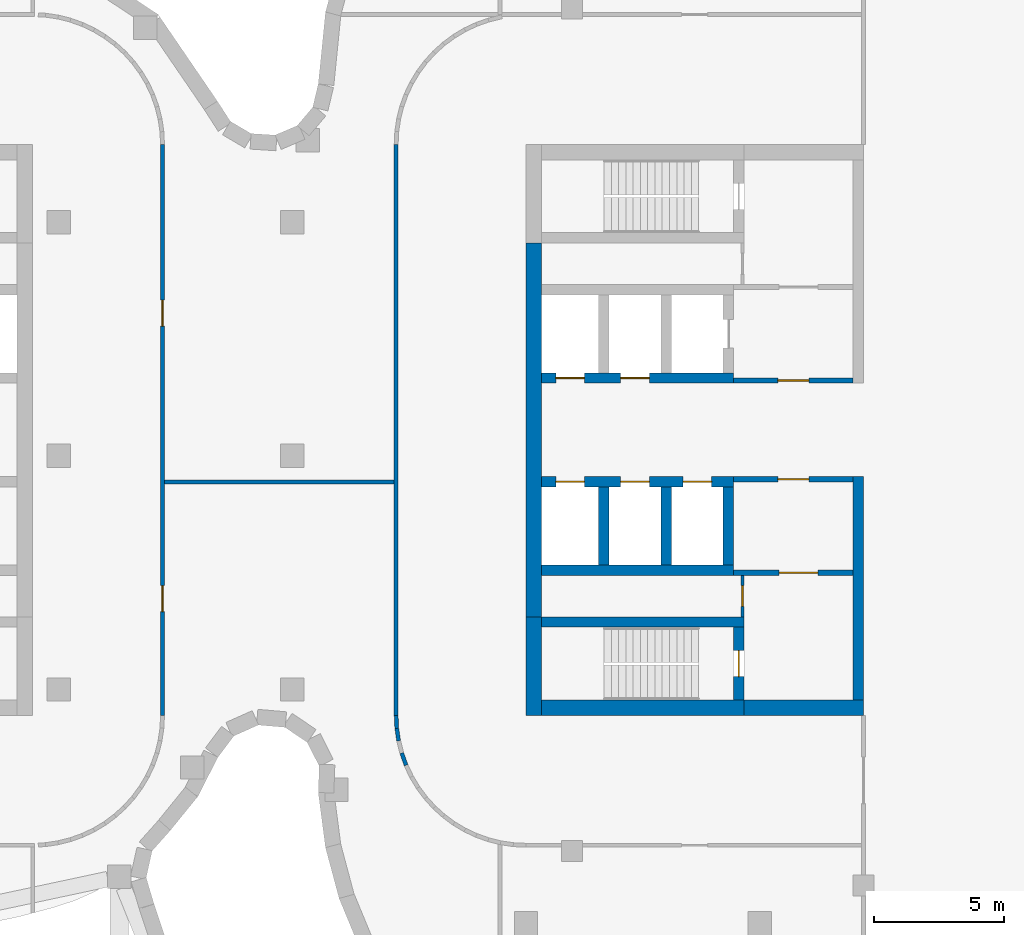
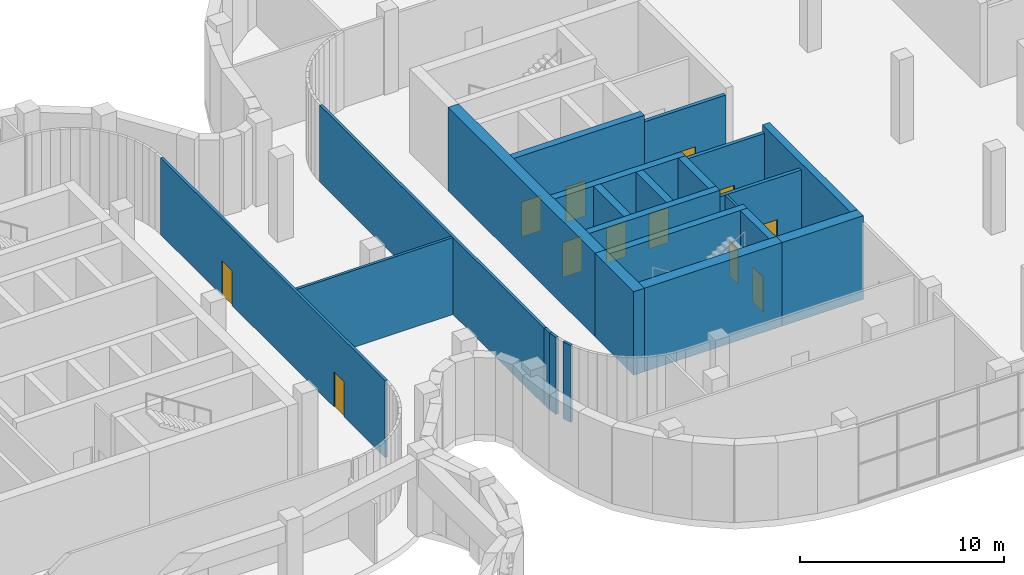
# One storey, part 16 of 25: 23 walls, 12 doors, 12 openings.
"""IFC4 building model written with IfcOpenShell, lengths in metres."""

from ifc_helpers import new_model, si_unit, direction, frame, frame_2d, origin, place, context, subcontext, project, spatial, rectangle, extrude, material, layer, layer_set, type_object, element, fill, save


model = new_model("IFC4")

# Units and contexts
model_context = context("Model", 3, precision=1e-05, world=origin(), true_north=direction((0.0, 1.0)))
body_context = subcontext(model_context, "Body", "Model", "MODEL_VIEW")
ifc_project = project(units=[si_unit("LENGTHUNIT", "METRE"), si_unit("AREAUNIT", "SQUARE_METRE"), si_unit("VOLUMEUNIT", "CUBIC_METRE"), si_unit("PLANEANGLEUNIT", "RADIAN"), si_unit("MASSUNIT", "GRAM", prefix="KILO")], contexts=[model_context])

# Site, building, storey
site_placement = place(None, origin())
site = spatial("IfcSite", under=ifc_project, at=site_placement, CompositionType="ELEMENT")
building_placement = place(site_placement, origin())
building = spatial("IfcBuilding", under=site, at=building_placement, Name="Skarvind Civic Tower", CompositionType="ELEMENT")
storey_placement = place(building_placement, frame((0.0, 0.0, 7.5)))
storey = spatial("IfcBuildingStorey", under=building, at=storey_placement, Name="L01", CompositionType="ELEMENT", Elevation=7.5)

# Wall, opening, door
ifc_material_1 = material(Name="Fire-rated masonry partition", Category="masonry")
ifc_layer_1 = layer(ifc_material_1, 0.199951171875)
ifc_layer_set_1 = layer_set([ifc_layer_1], Name="Core enclosure wall 200")
wall_type_1 = type_object("IfcWallType", Name="Core enclosure wall 200", PredefinedType="PARTITIONING", material=ifc_layer_set_1)
wall_1_placement = place(storey_placement, frame((135.0, 129.89990234375, 0.0), z_axis=(0.0, 0.0, 1.0), x_axis=(1.0, 0.0, 0.0)))
wall_1 = element("IfcWall", 1, at=wall_1_placement, inside=storey, type_object=wall_type_1, Name="Core wall CA", PredefinedType="PARTITIONING", context=body_context, shape_type="SweptSolid", body=[
    extrude(rectangle(XDim=4.60009765625, YDim=0.199951171875, at=frame_2d((2.300048828125, 0.0))), origin(), (0.0, 0.0, 1.0), 4.60009765625),
])
opening_1_placement = place(wall_1_placement, frame((1.699951171875, 0.0, 0.0)))
opening_1 = element("IfcOpeningElement", 2, at=opening_1_placement, cuts=wall_1, Name="Opening D-L01-CA-06", PredefinedType="OPENING", context=body_context, shape_type="SweptSolid", body=[
    extrude(rectangle(XDim=1.199951171875, YDim=2.10009765625, at=frame_2d((0.60009765625, 1.050048828125))), frame((0.0, 0.10986328125, 0.0), z_axis=(0.0, -1.0, 0.0), x_axis=(1.0, 0.0, 0.0)), (0.0, 0.0, 1.0), 0.219970703125),
])
ifc_material_2 = material(Name="Fire-rated steel door", Category="steel")
door_type_1 = type_object("IfcDoorType", Name="Core lobby door 1200", OperationType="NOTDEFINED", PredefinedType="DOOR", material=ifc_material_2)
door_1_placement = place(opening_1_placement, origin())
door_1 = element("IfcDoor", 3, at=door_1_placement, inside=storey, type_object=door_type_1, Name="Fire door", OperationType="DOUBLE_DOOR_SINGLE_SWING", OverallHeight=2.10009765625, OverallWidth=1.199951171875, PredefinedType="DOOR", context=body_context, shape_type="SweptSolid", body=[
    extrude(rectangle(XDim=1.199951171875, YDim=2.10009765625, at=frame_2d((0.60009765625, 1.050048828125))), frame((0.0, 0.02490234375, 0.0), z_axis=(0.0, -1.0, 0.0), x_axis=(1.0, 0.0, 0.0)), (0.0, 0.0, 1.0), 0.050048828125),
])
fill(opening_1, door_1)

wall_2_placement = place(storey_placement, frame((139.60009765625, 126.10009765625, 0.0), z_axis=(0.0, 0.0, 1.0), x_axis=(-1.0, 0.0, 0.0)))
wall_2 = element("IfcWall", 4, at=wall_2_placement, inside=storey, type_object=wall_type_1, Name="Core wall CA", PredefinedType="PARTITIONING", context=body_context, shape_type="SweptSolid", body=[
    extrude(rectangle(XDim=4.60009765625, YDim=0.199951171875, at=frame_2d((2.300048828125, 0.0))), origin(), (0.0, 0.0, 1.0), 4.60009765625),
])
opening_2_placement = place(wall_2_placement, frame((1.699951171875, 0.0, 0.0)))
opening_2 = element("IfcOpeningElement", 5, at=opening_2_placement, cuts=wall_2, Name="Opening D-L01-CA-10", PredefinedType="OPENING", context=body_context, shape_type="SweptSolid", body=[
    extrude(rectangle(XDim=1.199951171875, YDim=2.10009765625, at=frame_2d((0.60009765625, 1.050048828125))), frame((0.0, 0.10986328125, 0.0), z_axis=(0.0, -1.0, 0.0), x_axis=(1.0, 0.0, 0.0)), (0.0, 0.0, 1.0), 0.219970703125),
])
door_2_placement = place(opening_2_placement, origin())
door_2 = element("IfcDoor", 6, at=door_2_placement, inside=storey, type_object=door_type_1, Name="Fire door", OperationType="DOUBLE_DOOR_SINGLE_SWING", OverallHeight=2.10009765625, OverallWidth=1.199951171875, PredefinedType="DOOR", context=body_context, shape_type="SweptSolid", body=[
    extrude(rectangle(XDim=1.199951171875, YDim=2.10009765625, at=frame_2d((0.60009765625, 1.050048828125))), frame((0.0, 0.02490234375, 0.0), z_axis=(0.0, -1.0, 0.0), x_axis=(1.0, 0.0, 0.0)), (0.0, 0.0, 1.0), 0.050048828125),
])
fill(opening_2, door_2)

wall_3_placement = place(storey_placement, frame((139.60009765625, 122.5, 0.0), z_axis=(0.0, 0.0, 1.0), x_axis=(-1.0, 0.0, 0.0)))
wall_3 = element("IfcWall", 7, at=wall_3_placement, inside=storey, type_object=wall_type_1, Name="Core wall CA", PredefinedType="PARTITIONING", context=body_context, shape_type="SweptSolid", body=[
    extrude(rectangle(XDim=4.60009765625, YDim=0.199951171875, at=frame_2d((2.300048828125, 0.0))), origin(), (0.0, 0.0, 1.0), 4.60009765625),
])
opening_3_placement = place(wall_3_placement, frame((1.35009765625, 0.0, 0.0)))
opening_3 = element("IfcOpeningElement", 8, at=opening_3_placement, cuts=wall_3, Name="Opening D-L01-CA-11", PredefinedType="OPENING", context=body_context, shape_type="SweptSolid", body=[
    extrude(rectangle(XDim=1.5, YDim=2.10009765625, at=frame_2d((0.75, 1.050048828125))), frame((0.0, 0.10986328125, 0.0), z_axis=(0.0, -1.0, 0.0), x_axis=(1.0, 0.0, 0.0)), (0.0, 0.0, 1.0), 0.219970703125),
])
door_type_2 = type_object("IfcDoorType", Name="Fire door 1500", OperationType="NOTDEFINED", PredefinedType="DOOR", material=ifc_material_2)
door_3_placement = place(opening_3_placement, origin())
door_3 = element("IfcDoor", 9, at=door_3_placement, inside=storey, type_object=door_type_2, Name="Fire door", OperationType="DOUBLE_DOOR_SINGLE_SWING", OverallHeight=2.10009765625, OverallWidth=1.5, PredefinedType="DOOR", context=body_context, shape_type="SweptSolid", body=[
    extrude(rectangle(XDim=1.5, YDim=2.10009765625, at=frame_2d((0.75, 1.050048828125))), frame((0.0, 0.02490234375, 0.0), z_axis=(0.0, -1.0, 0.0), x_axis=(1.0, 0.0, 0.0)), (0.0, 0.0, 1.0), 0.050048828125),
])
fill(opening_3, door_3)

# Wall
ifc_material_3 = material(Name="Concrete C80", Category="concrete")
ifc_layer_2 = layer(ifc_material_3, 0.39990234375)
ifc_layer_set_2 = layer_set([ifc_layer_2], Name="Core wall 400 C80")
wall_type_2 = type_object("IfcWallType", Name="Core wall 400 C80", PredefinedType="SHEAR", material=ifc_layer_set_2)
wall_4_placement = place(storey_placement, frame((127.60009765625, 120.60009765625, 0.0), z_axis=(0.0, 0.0, 1.0), x_axis=(1.0, 0.0, 0.0)))
element("IfcWall", 10, at=wall_4_placement, inside=storey, type_object=wall_type_2, Name="Core wall CA south stair inner L01", PredefinedType="SHEAR", context=body_context, shape_type="SweptSolid", body=[
    extrude(rectangle(XDim=7.7998046875, YDim=0.39990234375, at=frame_2d((3.89990234375, 0.0))), origin(), (0.0, 0.0, 1.0), 5.0),
])

# Wall, opening, door
wall_5_placement = place(storey_placement, frame((135.199951171875, 117.60009765625, 0.0), z_axis=(0.0, 0.0, 1.0), x_axis=(0.0, 1.0, 0.0)))
wall_5 = element("IfcWall", 11, at=wall_5_placement, inside=storey, type_object=wall_type_2, Name="Core wall CA south stair end L01", PredefinedType="SHEAR", context=body_context, shape_type="SweptSolid", body=[
    extrude(rectangle(XDim=2.7998046875, YDim=0.39990234375, at=frame_2d((1.39990234375, 0.0))), origin(), (0.0, 0.0, 1.0), 5.0),
])
opening_4_placement = place(wall_5_placement, frame((0.89990234375, 0.0, 0.0)))
opening_4 = element("IfcOpeningElement", 12, at=opening_4_placement, cuts=wall_5, Name="Opening D-L01-CA-12", PredefinedType="OPENING", context=body_context, shape_type="SweptSolid", body=[
    extrude(rectangle(XDim=1.0, YDim=2.10009765625, at=frame_2d((0.5, 1.050048828125))), frame((0.0, 0.2099609375, 0.0), z_axis=(0.0, -1.0, 0.0), x_axis=(1.0, 0.0, 0.0)), (0.0, 0.0, 1.0), 0.419921875),
])
door_type_3 = type_object("IfcDoorType", Name="Fire door 1000", OperationType="NOTDEFINED", PredefinedType="DOOR", material=ifc_material_2)
door_4_placement = place(opening_4_placement, origin())
door_4 = element("IfcDoor", 13, at=door_4_placement, inside=storey, type_object=door_type_3, Name="Fire door", OperationType="SINGLE_SWING_RIGHT", OverallHeight=2.10009765625, OverallWidth=1.0, PredefinedType="DOOR", context=body_context, shape_type="SweptSolid", body=[
    extrude(rectangle(XDim=1.0, YDim=2.10009765625, at=frame_2d((0.5, 1.050048828125))), frame((0.0, 0.02490234375, 0.0), z_axis=(0.0, -1.0, 0.0), x_axis=(1.0, 0.0, 0.0)), (0.0, 0.0, 1.0), 0.050048828125),
])
fill(opening_4, door_4)

# Wall, openings, doors
wall_6_placement = place(storey_placement, frame((127.60009765625, 126.0, 0.0), z_axis=(0.0, 0.0, 1.0), x_axis=(1.0, 0.0, 0.0)))
wall_6 = element("IfcWall", 14, at=wall_6_placement, inside=storey, type_object=wall_type_2, Name="Core wall CA south lift row front L01", PredefinedType="SHEAR", context=body_context, shape_type="SweptSolid", body=[
    extrude(rectangle(XDim=7.39990234375, YDim=0.39990234375, at=frame_2d((3.699951171875, 0.0))), origin(), (0.0, 0.0, 1.0), 5.0),
])
opening_5_placement = place(wall_6_placement, frame((0.550048828125, 0.0, 0.0)))
opening_5 = element("IfcOpeningElement", 15, at=opening_5_placement, cuts=wall_6, Name="Opening LD03304", PredefinedType="OPENING", context=body_context, shape_type="SweptSolid", body=[
    extrude(rectangle(XDim=1.10009765625, YDim=2.10009765625, at=frame_2d((0.550048828125, 1.050048828125))), frame((0.0, 0.2099609375, 0.0), z_axis=(0.0, -1.0, 0.0), x_axis=(1.0, 0.0, 0.0)), (0.0, 0.0, 1.0), 0.419921875),
])
opening_6_placement = place(wall_6_placement, frame((3.050048828125, 0.0, 0.0)))
opening_6 = element("IfcOpeningElement", 16, at=opening_6_placement, cuts=wall_6, Name="Opening LD03305", PredefinedType="OPENING", context=body_context, shape_type="SweptSolid", body=[
    extrude(rectangle(XDim=1.10009765625, YDim=2.10009765625, at=frame_2d((0.550048828125, 1.050048828125))), frame((0.0, 0.2099609375, 0.0), z_axis=(0.0, -1.0, 0.0), x_axis=(1.0, 0.0, 0.0)), (0.0, 0.0, 1.0), 0.419921875),
])
opening_7_placement = place(wall_6_placement, frame((5.449951171875, 0.0, 0.0)))
opening_7 = element("IfcOpeningElement", 17, at=opening_7_placement, cuts=wall_6, Name="Opening LD03306", PredefinedType="OPENING", context=body_context, shape_type="SweptSolid", body=[
    extrude(rectangle(XDim=1.10009765625, YDim=2.10009765625, at=frame_2d((0.550048828125, 1.050048828125))), frame((0.0, 0.2099609375, 0.0), z_axis=(0.0, -1.0, 0.0), x_axis=(1.0, 0.0, 0.0)), (0.0, 0.0, 1.0), 0.419921875),
])
ifc_material_4 = material(Name="Stainless steel landing door", Category="steel")
door_type_4 = type_object("IfcDoorType", Name="Lift landing door 1100", OperationType="DOUBLE_DOOR_SLIDING", PredefinedType="DOOR", material=ifc_material_4)
door_5_placement = place(opening_5_placement, origin())
door_5 = element("IfcDoor", 18, at=door_5_placement, inside=storey, type_object=door_type_4, Name="Lift landing door", OperationType="DOUBLE_DOOR_SLIDING", OverallHeight=2.10009765625, OverallWidth=1.10009765625, PredefinedType="DOOR", context=body_context, shape_type="SweptSolid", body=[
    extrude(rectangle(XDim=1.10009765625, YDim=2.10009765625, at=frame_2d((0.550048828125, 1.050048828125))), frame((0.0, 0.02490234375, 0.0), z_axis=(0.0, -1.0, 0.0), x_axis=(1.0, 0.0, 0.0)), (0.0, 0.0, 1.0), 0.050048828125),
])
fill(opening_5, door_5)
door_6_placement = place(opening_6_placement, origin())
door_6 = element("IfcDoor", 19, at=door_6_placement, inside=storey, type_object=door_type_4, Name="Lift landing door", OperationType="DOUBLE_DOOR_SLIDING", OverallHeight=2.10009765625, OverallWidth=1.10009765625, PredefinedType="DOOR", context=body_context, shape_type="SweptSolid", body=[
    extrude(rectangle(XDim=1.10009765625, YDim=2.10009765625, at=frame_2d((0.550048828125, 1.050048828125))), frame((0.0, 0.02490234375, 0.0), z_axis=(0.0, -1.0, 0.0), x_axis=(1.0, 0.0, 0.0)), (0.0, 0.0, 1.0), 0.050048828125),
])
fill(opening_6, door_6)
door_7_placement = place(opening_7_placement, origin())
door_7 = element("IfcDoor", 20, at=door_7_placement, inside=storey, type_object=door_type_4, Name="Lift landing door", OperationType="DOUBLE_DOOR_SLIDING", OverallHeight=2.10009765625, OverallWidth=1.10009765625, PredefinedType="DOOR", context=body_context, shape_type="SweptSolid", body=[
    extrude(rectangle(XDim=1.10009765625, YDim=2.10009765625, at=frame_2d((0.550048828125, 1.050048828125))), frame((0.0, 0.02490234375, 0.0), z_axis=(0.0, -1.0, 0.0), x_axis=(1.0, 0.0, 0.0)), (0.0, 0.0, 1.0), 0.050048828125),
])
fill(opening_7, door_7)

# Walls
wall_7_placement = place(storey_placement, frame((127.60009765625, 122.60009765625, 0.0), z_axis=(0.0, 0.0, 1.0), x_axis=(1.0, 0.0, 0.0)))
element("IfcWall", 21, at=wall_7_placement, inside=storey, type_object=wall_type_2, Name="Core wall CA south lift row back L01", PredefinedType="SHEAR", context=body_context, shape_type="SweptSolid", body=[
    extrude(rectangle(XDim=7.39990234375, YDim=0.39990234375, at=frame_2d((3.699951171875, 0.0))), origin(), (0.0, 0.0, 1.0), 5.0),
])
for number, where, z_axis, x_axis, name in (
    (22, (130.0, 122.800048828125, 0.0), (0.0, 0.0, 1.0), (0.0, 1.0, 0.0), "Core wall CA south lift row division 1 L01"),
    (23, (132.39990234375, 122.800048828125, 0.0), (0.0, 0.0, 1.0), (0.0, 1.0, 0.0), "Core wall CA south lift row division 2 L01"),
    (24, (134.800048828125, 122.800048828125, 0.0), (0.0, 0.0, 1.0), (0.0, 1.0, 0.0), "Core wall CA south lift row division 3 L01"),
):
    element("IfcWall", number, at=place(storey_placement, frame(where, z_axis=z_axis, x_axis=x_axis)), inside=storey, type_object=wall_type_2, Name=name, PredefinedType="SHEAR", context=body_context, shape_type="SweptSolid", body=[
        extrude(rectangle(XDim=3.0, YDim=0.39990234375, at=frame_2d((1.5, 0.0))), origin(), (0.0, 0.0, 1.0), 5.0),
    ])

# Wall, openings, doors
wall_8_placement = place(storey_placement, frame((127.60009765625, 130.0, 0.0), z_axis=(0.0, 0.0, 1.0), x_axis=(1.0, 0.0, 0.0)))
wall_8 = element("IfcWall", 25, at=wall_8_placement, inside=storey, type_object=wall_type_2, Name="Core wall CA north lift row front L01", PredefinedType="SHEAR", context=body_context, shape_type="SweptSolid", body=[
    extrude(rectangle(XDim=7.39990234375, YDim=0.39990234375, at=frame_2d((3.699951171875, 0.0))), origin(), (0.0, 0.0, 1.0), 5.0),
])
opening_8_placement = place(wall_8_placement, frame((0.550048828125, 0.0, 0.0)))
opening_8 = element("IfcOpeningElement", 26, at=opening_8_placement, cuts=wall_8, Name="Opening LD03301", PredefinedType="OPENING", context=body_context, shape_type="SweptSolid", body=[
    extrude(rectangle(XDim=1.10009765625, YDim=2.10009765625, at=frame_2d((0.550048828125, 1.050048828125))), frame((0.0, 0.2099609375, 0.0), z_axis=(0.0, -1.0, 0.0), x_axis=(1.0, 0.0, 0.0)), (0.0, 0.0, 1.0), 0.419921875),
])
opening_9_placement = place(wall_8_placement, frame((3.050048828125, 0.0, 0.0)))
opening_9 = element("IfcOpeningElement", 27, at=opening_9_placement, cuts=wall_8, Name="Opening LD03302", PredefinedType="OPENING", context=body_context, shape_type="SweptSolid", body=[
    extrude(rectangle(XDim=1.10009765625, YDim=2.10009765625, at=frame_2d((0.550048828125, 1.050048828125))), frame((0.0, 0.2099609375, 0.0), z_axis=(0.0, -1.0, 0.0), x_axis=(1.0, 0.0, 0.0)), (0.0, 0.0, 1.0), 0.419921875),
])
door_8_placement = place(opening_8_placement, origin())
door_8 = element("IfcDoor", 28, at=door_8_placement, inside=storey, type_object=door_type_4, Name="Lift landing door", OperationType="DOUBLE_DOOR_SLIDING", OverallHeight=2.10009765625, OverallWidth=1.10009765625, PredefinedType="DOOR", context=body_context, shape_type="SweptSolid", body=[
    extrude(rectangle(XDim=1.10009765625, YDim=2.10009765625, at=frame_2d((0.550048828125, 1.050048828125))), frame((0.0, 0.02490234375, 0.0), z_axis=(0.0, -1.0, 0.0), x_axis=(1.0, 0.0, 0.0)), (0.0, 0.0, 1.0), 0.050048828125),
])
fill(opening_8, door_8)
door_9_placement = place(opening_9_placement, origin())
door_9 = element("IfcDoor", 29, at=door_9_placement, inside=storey, type_object=door_type_4, Name="Lift landing door", OperationType="DOUBLE_DOOR_SLIDING", OverallHeight=2.10009765625, OverallWidth=1.10009765625, PredefinedType="DOOR", context=body_context, shape_type="SweptSolid", body=[
    extrude(rectangle(XDim=1.10009765625, YDim=2.10009765625, at=frame_2d((0.550048828125, 1.050048828125))), frame((0.0, 0.02490234375, 0.0), z_axis=(0.0, -1.0, 0.0), x_axis=(1.0, 0.0, 0.0)), (0.0, 0.0, 1.0), 0.050048828125),
])
fill(opening_9, door_9)

# Walls
wall_9_placement = place(storey_placement, frame((139.800048828125, 117.60009765625, 0.0), z_axis=(0.0, 0.0, 1.0), x_axis=(0.0, 1.0, 0.0)))
element("IfcWall", 30, at=wall_9_placement, inside=storey, type_object=wall_type_2, Name="Core wall CA south inner face L01", PredefinedType="SHEAR", context=body_context, shape_type="SweptSolid", body=[
    extrude(rectangle(XDim=8.599853515625, YDim=0.39990234375, at=frame_2d((4.2998046875, 0.0))), origin(), (0.0, 0.0, 1.0), 5.0),
])
ifc_layer_3 = layer(ifc_material_3, 0.60009765625)
ifc_layer_set_3 = layer_set([ifc_layer_3], Name="Core wall 600 C80")
wall_type_3 = type_object("IfcWallType", Name="Core wall 600 C80", PredefinedType="SHEAR", material=ifc_layer_set_3)
wall_10_placement = place(storey_placement, frame((127.300048828125, 117.0, 0.0), z_axis=(0.0, 0.0, 1.0), x_axis=(0.0, 1.0, 0.0)))
element("IfcWall", 31, at=wall_10_placement, inside=storey, type_object=wall_type_3, Name="Core wall CA tip at the south stair L01", PredefinedType="SHEAR", context=body_context, shape_type="SweptSolid", body=[
    extrude(rectangle(XDim=3.800048828125, YDim=0.60009765625, at=frame_2d((1.89990234375, 0.0))), origin(), (0.0, 0.0, 1.0), 5.0),
])
wall_11_placement = place(storey_placement, frame((127.300048828125, 120.800048828125, 0.0), z_axis=(0.0, 0.0, 1.0), x_axis=(0.0, 1.0, 0.0)))
element("IfcWall", 32, at=wall_11_placement, inside=storey, type_object=wall_type_3, Name="Core wall CA tip between the stairs L01", PredefinedType="SHEAR", context=body_context, shape_type="SweptSolid", body=[
    extrude(rectangle(XDim=14.39990234375, YDim=0.60009765625, at=frame_2d((7.199951171875, 0.0))), origin(), (0.0, 0.0, 1.0), 5.0),
])
wall_12_placement = place(storey_placement, frame((127.60009765625, 117.300048828125, 0.0), z_axis=(0.0, 0.0, 1.0), x_axis=(1.0, 0.0, 0.0)))
element("IfcWall", 33, at=wall_12_placement, inside=storey, type_object=wall_type_3, Name="Core wall CA south side at the stair L01", PredefinedType="SHEAR", context=body_context, shape_type="SweptSolid", body=[
    extrude(rectangle(XDim=7.7998046875, YDim=0.60009765625, at=frame_2d((3.89990234375, 0.0))), origin(), (0.0, 0.0, 1.0), 5.0),
])
wall_13_placement = place(storey_placement, frame((135.39990234375, 117.300048828125, 0.0), z_axis=(0.0, 0.0, 1.0), x_axis=(1.0, 0.0, 0.0)))
element("IfcWall", 34, at=wall_13_placement, inside=storey, type_object=wall_type_3, Name="Core wall CA south side L01", PredefinedType="SHEAR", context=body_context, shape_type="SweptSolid", body=[
    extrude(rectangle(XDim=4.60009765625, YDim=0.60009765625, at=frame_2d((2.300048828125, 0.0))), origin(), (0.0, 0.0, 1.0), 5.0),
])

# Wall, openings, doors
ifc_material_5 = material(Name="Plasterboard partition on steel studs", Category="steel")
ifc_layer_4 = layer(ifc_material_5, 0.14990234375)
ifc_layer_set_4 = layer_set([ifc_layer_4], Name="PARTITION 150")
wall_type_4 = type_object("IfcWallType", Name="PARTITION 150", PredefinedType="PARTITIONING", material=ifc_layer_set_4)
wall_14_placement = place(storey_placement, frame((113.0, 139.001953125, 0.0), z_axis=(0.0, 0.0, 1.0), x_axis=(0.0, -1.0, 0.0)))
wall_14 = element("IfcWall", 35, at=wall_14_placement, inside=storey, type_object=wall_type_4, Name="Podium partition L01 197", PredefinedType="PARTITIONING", context=body_context, shape_type="SweptSolid", body=[
    extrude(rectangle(XDim=22.00390625, YDim=0.14990234375, at=frame_2d((11.001953125, 0.0))), origin(), (0.0, 0.0, 1.0), 4.60009765625),
])
opening_10_placement = place(wall_14_placement, frame((17.0, 0.0, 0.0)))
opening_10 = element("IfcOpeningElement", 36, at=opening_10_placement, cuts=wall_14, Name="Opening L01-D226", PredefinedType="OPENING", context=body_context, shape_type="SweptSolid", body=[
    extrude(rectangle(XDim=1.0, YDim=2.10009765625, at=frame_2d((0.5, 1.050048828125))), frame((0.0, 0.0849609375, 0.0), z_axis=(0.0, -1.0, 0.0), x_axis=(1.0, 0.0, 0.0)), (0.0, 0.0, 1.0), 0.169921875),
])
opening_11_placement = place(wall_14_placement, frame((6.00390625, 0.0, 0.0)))
opening_11 = element("IfcOpeningElement", 37, at=opening_11_placement, cuts=wall_14, Name="Opening L01-D227", PredefinedType="OPENING", context=body_context, shape_type="SweptSolid", body=[
    extrude(rectangle(XDim=1.0, YDim=2.10009765625, at=frame_2d((0.5, 1.050048828125))), frame((0.0, 0.0849609375, 0.0), z_axis=(0.0, -1.0, 0.0), x_axis=(1.0, 0.0, 0.0)), (0.0, 0.0, 1.0), 0.169921875),
])
ifc_material_6 = material(Name="Timber veneer door leaf", Category="wood")
door_type_5 = type_object("IfcDoorType", Name="DOOR 1000X2100 TIMBER", OperationType="NOTDEFINED", PredefinedType="DOOR", material=ifc_material_6)
door_10_placement = place(opening_10_placement, origin())
door_10 = element("IfcDoor", 38, at=door_10_placement, inside=storey, type_object=door_type_5, Name="DOOR DOOR", OperationType="SINGLE_SWING_RIGHT", OverallHeight=2.10009765625, OverallWidth=1.0, PredefinedType="DOOR", context=body_context, shape_type="SweptSolid", body=[
    extrude(rectangle(XDim=1.0, YDim=2.10009765625, at=frame_2d((0.5, 1.050048828125))), frame((0.0, 0.02490234375, 0.0), z_axis=(0.0, -1.0, 0.0), x_axis=(1.0, 0.0, 0.0)), (0.0, 0.0, 1.0), 0.050048828125),
])
fill(opening_10, door_10)
door_11_placement = place(opening_11_placement, origin())
door_11 = element("IfcDoor", 39, at=door_11_placement, inside=storey, type_object=door_type_5, Name="DOOR DOOR", OperationType="SINGLE_SWING_LEFT", OverallHeight=2.10009765625, OverallWidth=1.0, PredefinedType="DOOR", context=body_context, shape_type="SweptSolid", body=[
    extrude(rectangle(XDim=1.0, YDim=2.10009765625, at=frame_2d((0.5, 1.050048828125))), frame((0.0, 0.02490234375, 0.0), z_axis=(0.0, -1.0, 0.0), x_axis=(1.0, 0.0, 0.0)), (0.0, 0.0, 1.0), 0.050048828125),
])
fill(opening_11, door_11)

# Walls
wall_15_placement = place(storey_placement, frame((113.074951171875, 126.0, 0.0), z_axis=(0.0, 0.0, 1.0), x_axis=(1.0, 0.0, 0.0)))
element("IfcWall", 40, at=wall_15_placement, inside=storey, type_object=wall_type_4, Name="Podium partition L01 198", PredefinedType="PARTITIONING", context=body_context, shape_type="SweptSolid", body=[
    extrude(rectangle(XDim=8.85009765625, YDim=0.14990234375, at=frame_2d((4.425048828125, 0.0))), origin(), (0.0, 0.0, 1.0), 4.60009765625),
])
wall_16_placement = place(storey_placement, frame((122.0, 116.998046875, 0.0), z_axis=(0.0, 0.0, 1.0), x_axis=(0.0, 1.0, 0.0)))
element("IfcWall", 41, at=wall_16_placement, inside=storey, type_object=wall_type_4, Name="Podium partition L01 201", PredefinedType="PARTITIONING", context=body_context, shape_type="SweptSolid", body=[
    extrude(rectangle(XDim=22.00390625, YDim=0.14990234375, at=frame_2d((11.001953125, 0.0))), origin(), (0.0, 0.0, 1.0), 4.60009765625),
])
wall_17_placement = place(storey_placement, frame((122.0, 117.001953125, 0.0), z_axis=(0.0, 0.0, 1.0), x_axis=(0.048196018647, -0.998837896651, 0.0)))
element("IfcWall", 42, at=wall_17_placement, inside=storey, type_object=wall_type_4, Name="Podium partition L01 202", PredefinedType="PARTITIONING", context=body_context, shape_type="SweptSolid", body=[
    extrude(rectangle(XDim=0.496337890625, YDim=0.14990234375, at=frame_2d((0.248046875, 0.0))), origin(), (0.0, 0.0, 1.0), 4.60009765625),
])
wall_18_placement = place(storey_placement, frame((122.02294921875, 116.513916015625, 0.0), z_axis=(0.0, 0.0, 1.0), x_axis=(0.148412307247, -0.988925572052, 0.0)))
element("IfcWall", 43, at=wall_18_placement, inside=storey, type_object=wall_type_4, Name="Podium partition L01 204", PredefinedType="PARTITIONING", context=body_context, shape_type="SweptSolid", body=[
    extrude(rectangle(XDim=0.49853515625, YDim=0.14990234375, at=frame_2d((0.249267578125, 0.0))), origin(), (0.0, 0.0, 1.0), 4.60009765625),
])
wall_19_placement = place(storey_placement, frame((122.214111328125, 115.552978515625, 0.0), z_axis=(0.0, 0.0, 1.0), x_axis=(0.3371744988, -0.941442168887, 0.0)))
element("IfcWall", 44, at=wall_19_placement, inside=storey, type_object=wall_type_4, Name="Podium partition L01 208", PredefinedType="PARTITIONING", context=body_context, shape_type="SweptSolid", body=[
    extrude(rectangle(XDim=0.498046875, YDim=0.14990234375, at=frame_2d((0.2490234375, 0.0))), origin(), (0.0, 0.0, 1.0), 4.60009765625),
])

# Wall, opening, door
ifc_layer_5 = layer(ifc_material_1, 0.125)
ifc_layer_set_5 = layer_set([ifc_layer_5], Name="Riser wall 125")
wall_type_5 = type_object("IfcWallType", Name="Riser wall 125", PredefinedType="PARTITIONING", material=ifc_layer_set_5)
wall_20_placement = place(storey_placement, frame((135.33740234375, 122.39990234375, 0.0), z_axis=(0.0, 0.0, 1.0), x_axis=(0.0, -1.0, 0.0)))
wall_20 = element("IfcWall", 45, at=wall_20_placement, inside=storey, type_object=wall_type_5, Name="Core wall CA", PredefinedType="PARTITIONING", context=body_context, shape_type="SweptSolid", body=[
    extrude(rectangle(XDim=1.599853515625, YDim=0.125, at=frame_2d((0.7998046875, 0.0))), origin(), (0.0, 0.0, 1.0), 4.60009765625),
])
opening_12_placement = place(wall_20_placement, frame((0.39990234375, 0.0, 0.0)))
opening_12 = element("IfcOpeningElement", 46, at=opening_12_placement, cuts=wall_20, Name="Opening D-L01-CA-13", PredefinedType="OPENING", context=body_context, shape_type="SweptSolid", body=[
    extrude(rectangle(XDim=0.800048828125, YDim=2.10009765625, at=frame_2d((0.39990234375, 1.050048828125))), frame((0.0, 0.072509765625, 0.0), z_axis=(0.0, -1.0, 0.0), x_axis=(1.0, 0.0, 0.0)), (0.0, 0.0, 1.0), 0.14501953125),
])
door_type_6 = type_object("IfcDoorType", Name="Core riser door 800", OperationType="NOTDEFINED", PredefinedType="DOOR", material=ifc_material_2)
door_12_placement = place(opening_12_placement, origin())
door_12 = element("IfcDoor", 47, at=door_12_placement, inside=storey, type_object=door_type_6, Name="Riser door", OperationType="SINGLE_SWING_LEFT", OverallHeight=2.10009765625, OverallWidth=0.800048828125, PredefinedType="DOOR", context=body_context, shape_type="SweptSolid", body=[
    extrude(rectangle(XDim=0.800048828125, YDim=2.10009765625, at=frame_2d((0.39990234375, 1.050048828125))), frame((0.0, 0.02490234375, 0.0), z_axis=(0.0, -1.0, 0.0), x_axis=(1.0, 0.0, 0.0)), (0.0, 0.0, 1.0), 0.050048828125),
])
fill(opening_12, door_12)

save(model, "model.ifc")
